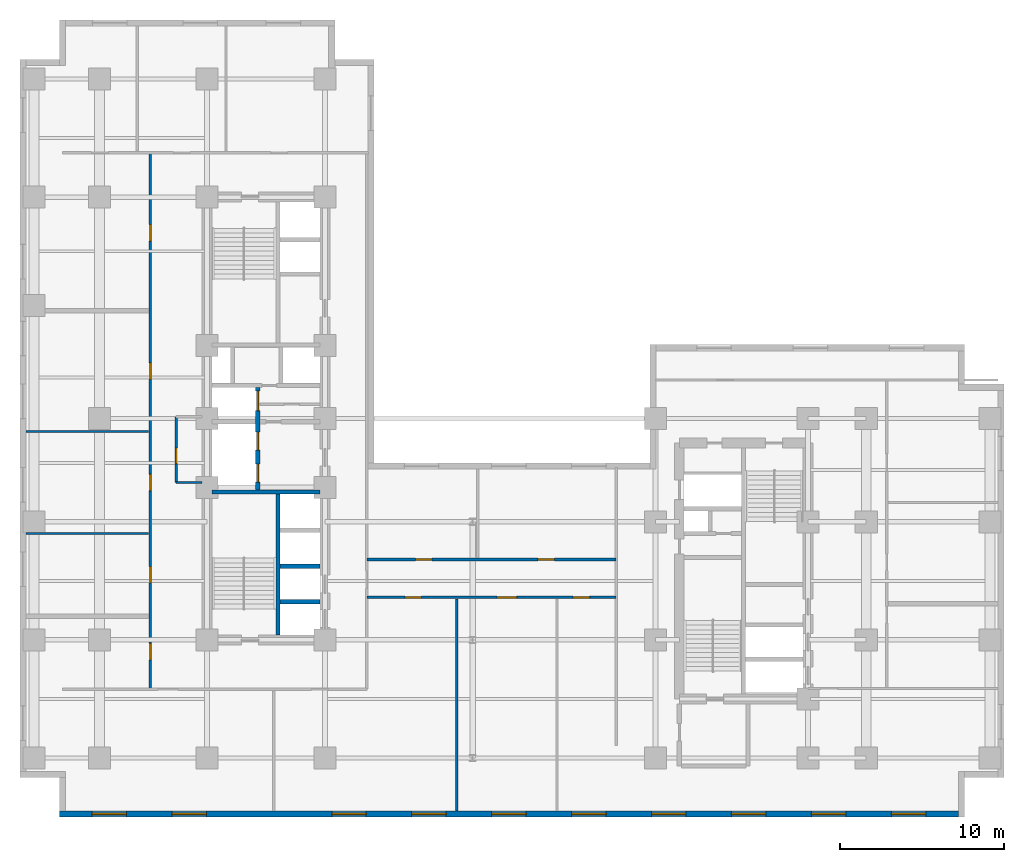
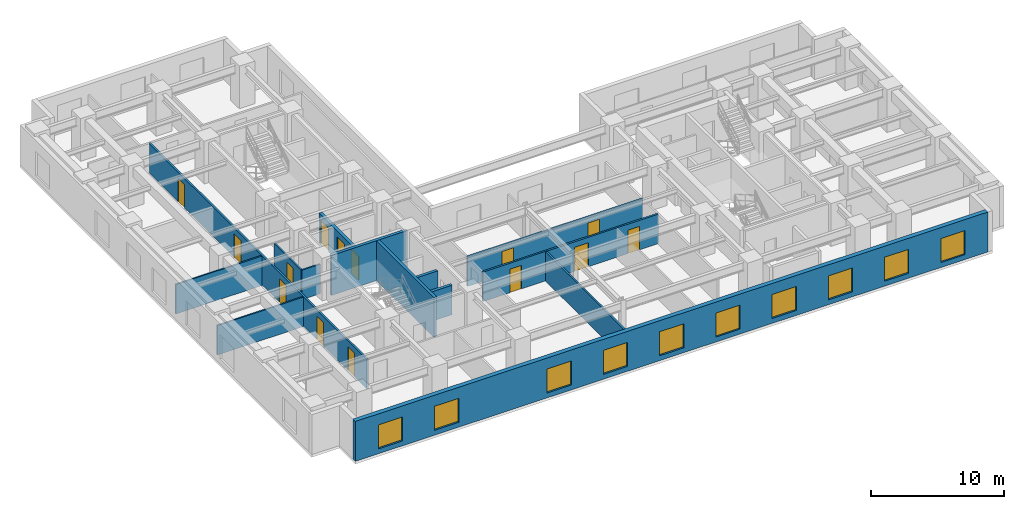
# One storey, part 3 of 9: 14 doors, 14 walls, 10 windows, 24 openings.
"""IFC4 building model written with IfcOpenShell, lengths in metres."""

from ifc_helpers import new_model, entity, si_unit, converted_unit, direction, frame, origin_with_axes, origin_2d_with_axis, place, context, subcontext, project, spatial, polyline, rectangle, outline, extrude, material, layer, layer_set, type_object, element, fill, save


model = new_model("IFC4")

# Units and contexts
model_context = context("Model", 3, precision=1e-05, world=origin_with_axes(), true_north=direction((0.0, 1.0)))
body_context = subcontext(model_context, "Body", "Model", "MODEL_VIEW")
ifc_project = project(units=[si_unit("LENGTHUNIT", "METRE"), si_unit("AREAUNIT", "SQUARE_METRE"), si_unit("VOLUMEUNIT", "CUBIC_METRE"), converted_unit("PLANEANGLEUNIT", "DEGREE", entity("IfcPlaneAngleMeasure", 0.017453292519943295), si_unit("PLANEANGLEUNIT", "RADIAN"), dimensions=[0, 0, 0, 0, 0, 0, 0]), si_unit("MASSUNIT", "GRAM", prefix="KILO"), si_unit("THERMODYNAMICTEMPERATUREUNIT", "KELVIN")], contexts=[model_context])

# Site, building, storey
site_placement = place(None, origin_with_axes())
site = spatial("IfcSite", under=ifc_project, at=site_placement, CompositionType="ELEMENT")
building_placement = place(site_placement, origin_with_axes())
building = spatial("IfcBuilding", under=site, at=building_placement, Name="Varnlund Millrace Tower", CompositionType="ELEMENT")
storey_placement = place(building_placement, frame((0.0, 0.0, 52.2), z_axis=(0.0, 0.0, 1.0), x_axis=(1.0, 0.0, 0.0)))
storey = spatial("IfcBuildingStorey", under=building, at=storey_placement, Name="L12", CompositionType="ELEMENT", Elevation=52.2)

# Wall, openings, windows
ifc_material_1 = material(Name="Precast concrete C50/60", Category="concrete")
ifc_layer_1 = layer(ifc_material_1, 0.38, Name="Precast concrete C50/60")
ifc_layer_set_1 = layer_set([ifc_layer_1], Name="Precast concrete C50/60")
wall_type_1 = type_object("IfcWallType", Name="Type-ExtWall-Precast-Tube-380", PredefinedType="SOLIDWALL", material=ifc_layer_set_1)
wall_1_placement = place(storey_placement, frame((57.22, 0.19, 0.0), z_axis=(0.0, 0.0, 1.0), x_axis=(-1.0, 0.0, 0.0)))
wall_1 = element("IfcWall", 1, at=wall_1_placement, inside=storey, type_object=wall_type_1, Name="Type-ExtWall-Precast-Tube-380", PredefinedType="SOLIDWALL", context=body_context, shape_type="SweptSolid", body=[
    extrude(outline(polyline([(0.0, -0.19), (54.82, -0.19), (54.82, 0.19), (0.0, 0.19), (0.0, -0.19)])), origin_with_axes(), (0.0, 0.0, 1.0), 3.66),
])
opening_1_placement = place(wall_1_placement, frame((3.037, 0.0, 0.45), z_axis=(0.0, 0.0, 1.0), x_axis=(1.0, 0.0, 0.0)))
opening_1 = element("IfcOpeningElement", 2, at=opening_1_placement, cuts=wall_1, Name="Opening L12:WN-06", PredefinedType="OPENING", context=body_context, shape_type="SweptSolid", body=[
    extrude(rectangle(XDim=2.1, YDim=0.4, at=origin_2d_with_axis()), origin_with_axes(), (0.0, 0.0, 1.0), 2.2),
])
opening_2_placement = place(wall_1_placement, frame((7.912, 0.0, 0.45), z_axis=(0.0, 0.0, 1.0), x_axis=(1.0, 0.0, 0.0)))
opening_2 = element("IfcOpeningElement", 3, at=opening_2_placement, cuts=wall_1, Name="Opening L12:WN-07", PredefinedType="OPENING", context=body_context, shape_type="SweptSolid", body=[
    extrude(rectangle(XDim=2.1, YDim=0.4, at=origin_2d_with_axis()), origin_with_axes(), (0.0, 0.0, 1.0), 2.2),
])
opening_3_placement = place(wall_1_placement, frame((12.786, 0.0, 0.45), z_axis=(0.0, 0.0, 1.0), x_axis=(1.0, 0.0, 0.0)))
opening_3 = element("IfcOpeningElement", 4, at=opening_3_placement, cuts=wall_1, Name="Opening L12:WN-08", PredefinedType="OPENING", context=body_context, shape_type="SweptSolid", body=[
    extrude(rectangle(XDim=2.1, YDim=0.4, at=origin_2d_with_axis()), origin_with_axes(), (0.0, 0.0, 1.0), 2.2),
])
opening_4_placement = place(wall_1_placement, frame((17.661, 0.0, 0.45), z_axis=(0.0, 0.0, 1.0), x_axis=(1.0, 0.0, 0.0)))
opening_4 = element("IfcOpeningElement", 5, at=opening_4_placement, cuts=wall_1, Name="Opening L12:WN-09", PredefinedType="OPENING", context=body_context, shape_type="SweptSolid", body=[
    extrude(rectangle(XDim=2.1, YDim=0.4, at=origin_2d_with_axis()), origin_with_axes(), (0.0, 0.0, 1.0), 2.2),
])
opening_5_placement = place(wall_1_placement, frame((22.535, 0.0, 0.45), z_axis=(0.0, 0.0, 1.0), x_axis=(1.0, 0.0, 0.0)))
opening_5 = element("IfcOpeningElement", 6, at=opening_5_placement, cuts=wall_1, Name="Opening L12:WN-10", PredefinedType="OPENING", context=body_context, shape_type="SweptSolid", body=[
    extrude(rectangle(XDim=2.1, YDim=0.4, at=origin_2d_with_axis()), origin_with_axes(), (0.0, 0.0, 1.0), 2.2),
])
opening_6_placement = place(wall_1_placement, frame((27.41, 0.0, 0.45), z_axis=(0.0, 0.0, 1.0), x_axis=(1.0, 0.0, 0.0)))
opening_6 = element("IfcOpeningElement", 7, at=opening_6_placement, cuts=wall_1, Name="Opening L12:WN-11", PredefinedType="OPENING", context=body_context, shape_type="SweptSolid", body=[
    extrude(rectangle(XDim=2.1, YDim=0.4, at=origin_2d_with_axis()), origin_with_axes(), (0.0, 0.0, 1.0), 2.2),
])
opening_7_placement = place(wall_1_placement, frame((32.285, 0.0, 0.45), z_axis=(0.0, 0.0, 1.0), x_axis=(1.0, 0.0, 0.0)))
opening_7 = element("IfcOpeningElement", 8, at=opening_7_placement, cuts=wall_1, Name="Opening L12:WN-12", PredefinedType="OPENING", context=body_context, shape_type="SweptSolid", body=[
    extrude(rectangle(XDim=2.1, YDim=0.4, at=origin_2d_with_axis()), origin_with_axes(), (0.0, 0.0, 1.0), 2.2),
])
opening_8_placement = place(wall_1_placement, frame((37.159, 0.0, 0.45), z_axis=(0.0, 0.0, 1.0), x_axis=(1.0, 0.0, 0.0)))
opening_8 = element("IfcOpeningElement", 9, at=opening_8_placement, cuts=wall_1, Name="Opening L12:WN-13", PredefinedType="OPENING", context=body_context, shape_type="SweptSolid", body=[
    extrude(rectangle(XDim=2.1, YDim=0.4, at=origin_2d_with_axis()), origin_with_axes(), (0.0, 0.0, 1.0), 2.2),
])
opening_9_placement = place(wall_1_placement, frame((46.908, 0.0, 0.45), z_axis=(0.0, 0.0, 1.0), x_axis=(1.0, 0.0, 0.0)))
opening_9 = element("IfcOpeningElement", 10, at=opening_9_placement, cuts=wall_1, Name="Opening L12:WN-14", PredefinedType="OPENING", context=body_context, shape_type="SweptSolid", body=[
    extrude(rectangle(XDim=2.1, YDim=0.4, at=origin_2d_with_axis()), origin_with_axes(), (0.0, 0.0, 1.0), 2.2),
])
opening_10_placement = place(wall_1_placement, frame((51.783, 0.0, 0.45), z_axis=(0.0, 0.0, 1.0), x_axis=(1.0, 0.0, 0.0)))
opening_10 = element("IfcOpeningElement", 11, at=opening_10_placement, cuts=wall_1, Name="Opening L12:WN-15", PredefinedType="OPENING", context=body_context, shape_type="SweptSolid", body=[
    extrude(rectangle(XDim=2.1, YDim=0.4, at=origin_2d_with_axis()), origin_with_axes(), (0.0, 0.0, 1.0), 2.2),
])
ifc_material_2 = material(Name="Argon low-e triple glazing in thermally broken bronze frame", Category="glass")
window_type = type_object("IfcWindowType", Name="Type-Window-Punched-2100X2200", PartitioningType="SINGLE_PANEL", PredefinedType="WINDOW", material=ifc_material_2)
window_1_placement = place(wall_1_placement, frame((3.037, 0.0, 0.45), z_axis=(0.0, 0.0, 1.0), x_axis=(1.0, 0.0, 0.0)))
window_1 = element("IfcWindow", 12, at=window_1_placement, inside=storey, type_object=window_type, Name="Type-Window-Punched-2100X2200", OverallHeight=2.2, OverallWidth=2.1, PredefinedType="WINDOW", context=body_context, shape_type="SweptSolid", body=[
    extrude(rectangle(XDim=2.1, YDim=0.09, at=origin_2d_with_axis()), origin_with_axes(), (0.0, 0.0, 1.0), 2.2),
])
fill(opening_1, window_1)
window_2_placement = place(wall_1_placement, frame((7.912, 0.0, 0.45), z_axis=(0.0, 0.0, 1.0), x_axis=(1.0, 0.0, 0.0)))
window_2 = element("IfcWindow", 13, at=window_2_placement, inside=storey, type_object=window_type, Name="Type-Window-Punched-2100X2200", OverallHeight=2.2, OverallWidth=2.1, PredefinedType="WINDOW", context=body_context, shape_type="SweptSolid", body=[
    extrude(rectangle(XDim=2.1, YDim=0.09, at=origin_2d_with_axis()), origin_with_axes(), (0.0, 0.0, 1.0), 2.2),
])
fill(opening_2, window_2)
window_3_placement = place(wall_1_placement, frame((12.786, 0.0, 0.45), z_axis=(0.0, 0.0, 1.0), x_axis=(1.0, 0.0, 0.0)))
window_3 = element("IfcWindow", 14, at=window_3_placement, inside=storey, type_object=window_type, Name="Type-Window-Punched-2100X2200", OverallHeight=2.2, OverallWidth=2.1, PredefinedType="WINDOW", context=body_context, shape_type="SweptSolid", body=[
    extrude(rectangle(XDim=2.1, YDim=0.09, at=origin_2d_with_axis()), origin_with_axes(), (0.0, 0.0, 1.0), 2.2),
])
fill(opening_3, window_3)
window_4_placement = place(wall_1_placement, frame((17.661, 0.0, 0.45), z_axis=(0.0, 0.0, 1.0), x_axis=(1.0, 0.0, 0.0)))
window_4 = element("IfcWindow", 15, at=window_4_placement, inside=storey, type_object=window_type, Name="Type-Window-Punched-2100X2200", OverallHeight=2.2, OverallWidth=2.1, PredefinedType="WINDOW", context=body_context, shape_type="SweptSolid", body=[
    extrude(rectangle(XDim=2.1, YDim=0.09, at=origin_2d_with_axis()), origin_with_axes(), (0.0, 0.0, 1.0), 2.2),
])
fill(opening_4, window_4)
window_5_placement = place(wall_1_placement, frame((22.535, 0.0, 0.45), z_axis=(0.0, 0.0, 1.0), x_axis=(1.0, 0.0, 0.0)))
window_5 = element("IfcWindow", 16, at=window_5_placement, inside=storey, type_object=window_type, Name="Type-Window-Punched-2100X2200", OverallHeight=2.2, OverallWidth=2.1, PredefinedType="WINDOW", context=body_context, shape_type="SweptSolid", body=[
    extrude(rectangle(XDim=2.1, YDim=0.09, at=origin_2d_with_axis()), origin_with_axes(), (0.0, 0.0, 1.0), 2.2),
])
fill(opening_5, window_5)
window_6_placement = place(wall_1_placement, frame((27.41, 0.0, 0.45), z_axis=(0.0, 0.0, 1.0), x_axis=(1.0, 0.0, 0.0)))
window_6 = element("IfcWindow", 17, at=window_6_placement, inside=storey, type_object=window_type, Name="Type-Window-Punched-2100X2200", OverallHeight=2.2, OverallWidth=2.1, PredefinedType="WINDOW", context=body_context, shape_type="SweptSolid", body=[
    extrude(rectangle(XDim=2.1, YDim=0.09, at=origin_2d_with_axis()), origin_with_axes(), (0.0, 0.0, 1.0), 2.2),
])
fill(opening_6, window_6)
window_7_placement = place(wall_1_placement, frame((32.285, 0.0, 0.45), z_axis=(0.0, 0.0, 1.0), x_axis=(1.0, 0.0, 0.0)))
window_7 = element("IfcWindow", 18, at=window_7_placement, inside=storey, type_object=window_type, Name="Type-Window-Punched-2100X2200", OverallHeight=2.2, OverallWidth=2.1, PredefinedType="WINDOW", context=body_context, shape_type="SweptSolid", body=[
    extrude(rectangle(XDim=2.1, YDim=0.09, at=origin_2d_with_axis()), origin_with_axes(), (0.0, 0.0, 1.0), 2.2),
])
fill(opening_7, window_7)
window_8_placement = place(wall_1_placement, frame((37.159, 0.0, 0.45), z_axis=(0.0, 0.0, 1.0), x_axis=(1.0, 0.0, 0.0)))
window_8 = element("IfcWindow", 19, at=window_8_placement, inside=storey, type_object=window_type, Name="Type-Window-Punched-2100X2200", OverallHeight=2.2, OverallWidth=2.1, PredefinedType="WINDOW", context=body_context, shape_type="SweptSolid", body=[
    extrude(rectangle(XDim=2.1, YDim=0.09, at=origin_2d_with_axis()), origin_with_axes(), (0.0, 0.0, 1.0), 2.2),
])
fill(opening_8, window_8)
window_9_placement = place(wall_1_placement, frame((46.908, 0.0, 0.45), z_axis=(0.0, 0.0, 1.0), x_axis=(1.0, 0.0, 0.0)))
window_9 = element("IfcWindow", 20, at=window_9_placement, inside=storey, type_object=window_type, Name="Type-Window-Punched-2100X2200", OverallHeight=2.2, OverallWidth=2.1, PredefinedType="WINDOW", context=body_context, shape_type="SweptSolid", body=[
    extrude(rectangle(XDim=2.1, YDim=0.09, at=origin_2d_with_axis()), origin_with_axes(), (0.0, 0.0, 1.0), 2.2),
])
fill(opening_9, window_9)
window_10_placement = place(wall_1_placement, frame((51.783, 0.0, 0.45), z_axis=(0.0, 0.0, 1.0), x_axis=(1.0, 0.0, 0.0)))
window_10 = element("IfcWindow", 21, at=window_10_placement, inside=storey, type_object=window_type, Name="Type-Window-Punched-2100X2200", OverallHeight=2.2, OverallWidth=2.1, PredefinedType="WINDOW", context=body_context, shape_type="SweptSolid", body=[
    extrude(rectangle(XDim=2.1, YDim=0.09, at=origin_2d_with_axis()), origin_with_axes(), (0.0, 0.0, 1.0), 2.2),
])
fill(opening_10, window_10)

# Wall, openings, doors
ifc_material_3 = material(Name="Fire-rated gypsum board on cold-formed steel framing", Category="steel")
ifc_layer_2 = layer(ifc_material_3, 0.16, Name="Fire-rated gypsum board on cold-formed steel framing")
ifc_layer_set_2 = layer_set([ifc_layer_2], Name="Fire-rated gypsum board on cold-formed steel framing")
wall_type_2 = type_object("IfcWallType", Name="Type-Partition-Corridor-160", PredefinedType="PARTITIONING", material=ifc_layer_set_2)
wall_2_placement = place(storey_placement, frame((7.95, 7.8, 0.0), z_axis=(0.0, 0.0, 1.0), x_axis=(0.0, 1.0, 0.0)))
wall_2 = element("IfcWall", 22, at=wall_2_placement, inside=storey, type_object=wall_type_2, Name="Type-Partition-Corridor-160", PredefinedType="PARTITIONING", context=body_context, shape_type="SweptSolid", body=[
    extrude(outline(polyline([(0.0, -0.08), (32.7, -0.08), (32.7, 0.08), (0.0, 0.08), (0.0, -0.08)])), origin_with_axes(), (0.0, 0.0, 1.0), 2.7),
])
opening_11_placement = place(wall_2_placement, frame((2.2885, 0.0, 0.0), z_axis=(0.0, 0.0, 1.0), x_axis=(1.0, 0.0, 0.0)))
opening_11 = element("IfcOpeningElement", 23, at=opening_11_placement, cuts=wall_2, Name="Opening L12:DR-W-01", PredefinedType="OPENING", context=body_context, shape_type="SweptSolid", body=[
    extrude(rectangle(XDim=1.0, YDim=0.18, at=origin_2d_with_axis()), origin_with_axes(), (0.0, 0.0, 1.0), 2.15),
])
opening_12_placement = place(wall_2_placement, frame((6.971, 0.0, 0.0), z_axis=(0.0, 0.0, 1.0), x_axis=(1.0, 0.0, 0.0)))
opening_12 = element("IfcOpeningElement", 24, at=opening_12_placement, cuts=wall_2, Name="Opening L12:DR-W-02", PredefinedType="OPENING", context=body_context, shape_type="SweptSolid", body=[
    extrude(rectangle(XDim=1.0, YDim=0.18, at=origin_2d_with_axis()), origin_with_axes(), (0.0, 0.0, 1.0), 2.15),
])
opening_13_placement = place(wall_2_placement, frame((12.598, 0.0, 0.0), z_axis=(0.0, 0.0, 1.0), x_axis=(1.0, 0.0, 0.0)))
opening_13 = element("IfcOpeningElement", 25, at=opening_13_placement, cuts=wall_2, Name="Opening L12:DR-W-03", PredefinedType="OPENING", context=body_context, shape_type="SweptSolid", body=[
    extrude(rectangle(XDim=1.0, YDim=0.18, at=origin_2d_with_axis()), origin_with_axes(), (0.0, 0.0, 1.0), 2.15),
])
opening_14_placement = place(wall_2_placement, frame((19.3855, 0.0, 0.0), z_axis=(0.0, 0.0, 1.0), x_axis=(1.0, 0.0, 0.0)))
opening_14 = element("IfcOpeningElement", 26, at=opening_14_placement, cuts=wall_2, Name="Opening L12:DR-W-04", PredefinedType="OPENING", context=body_context, shape_type="SweptSolid", body=[
    extrude(rectangle(XDim=1.0, YDim=0.18, at=origin_2d_with_axis()), origin_with_axes(), (0.0, 0.0, 1.0), 2.15),
])
opening_15_placement = place(wall_2_placement, frame((27.82, 0.0, 0.0), z_axis=(0.0, 0.0, 1.0), x_axis=(1.0, 0.0, 0.0)))
opening_15 = element("IfcOpeningElement", 27, at=opening_15_placement, cuts=wall_2, Name="Opening L12:DR-W-05", PredefinedType="OPENING", context=body_context, shape_type="SweptSolid", body=[
    extrude(rectangle(XDim=1.0, YDim=0.18, at=origin_2d_with_axis()), origin_with_axes(), (0.0, 0.0, 1.0), 2.15),
])
ifc_material_4 = material(Name="Solid-core white oak and bronze frame door")
door_type_1 = type_object("IfcDoorType", Name="Type-IntDoor-Office-1000X2150", OperationType="NOTDEFINED", PredefinedType="DOOR", material=ifc_material_4)
door_1_placement = place(wall_2_placement, frame((2.2885, 0.0, 0.0), z_axis=(0.0, 0.0, 1.0), x_axis=(1.0, 0.0, 0.0)))
door_1 = element("IfcDoor", 28, at=door_1_placement, inside=storey, type_object=door_type_1, Name="Type-IntDoor-Office-1000X2150", OperationType="SINGLE_SWING_LEFT", OverallHeight=2.15, OverallWidth=1.0, PredefinedType="DOOR", context=body_context, shape_type="SweptSolid", body=[
    extrude(rectangle(XDim=1.0, YDim=0.09, at=origin_2d_with_axis()), origin_with_axes(), (0.0, 0.0, 1.0), 2.15),
])
fill(opening_11, door_1)
door_2_placement = place(wall_2_placement, frame((6.971, 0.0, 0.0), z_axis=(0.0, 0.0, 1.0), x_axis=(1.0, 0.0, 0.0)))
door_2 = element("IfcDoor", 29, at=door_2_placement, inside=storey, type_object=door_type_1, Name="Type-IntDoor-Office-1000X2150", OperationType="SINGLE_SWING_RIGHT", OverallHeight=2.15, OverallWidth=1.0, PredefinedType="DOOR", context=body_context, shape_type="SweptSolid", body=[
    extrude(rectangle(XDim=1.0, YDim=0.09, at=origin_2d_with_axis()), origin_with_axes(), (0.0, 0.0, 1.0), 2.15),
])
fill(opening_12, door_2)
door_3_placement = place(wall_2_placement, frame((12.598, 0.0, 0.0), z_axis=(0.0, 0.0, 1.0), x_axis=(1.0, 0.0, 0.0)))
door_3 = element("IfcDoor", 30, at=door_3_placement, inside=storey, type_object=door_type_1, Name="Type-IntDoor-Office-1000X2150", OperationType="SINGLE_SWING_LEFT", OverallHeight=2.15, OverallWidth=1.0, PredefinedType="DOOR", context=body_context, shape_type="SweptSolid", body=[
    extrude(rectangle(XDim=1.0, YDim=0.09, at=origin_2d_with_axis()), origin_with_axes(), (0.0, 0.0, 1.0), 2.15),
])
fill(opening_13, door_3)
door_4_placement = place(wall_2_placement, frame((19.3855, 0.0, 0.0), z_axis=(0.0, 0.0, 1.0), x_axis=(1.0, 0.0, 0.0)))
door_4 = element("IfcDoor", 31, at=door_4_placement, inside=storey, type_object=door_type_1, Name="Type-IntDoor-Office-1000X2150", OperationType="SINGLE_SWING_RIGHT", OverallHeight=2.15, OverallWidth=1.0, PredefinedType="DOOR", context=body_context, shape_type="SweptSolid", body=[
    extrude(rectangle(XDim=1.0, YDim=0.09, at=origin_2d_with_axis()), origin_with_axes(), (0.0, 0.0, 1.0), 2.15),
])
fill(opening_14, door_4)
door_5_placement = place(wall_2_placement, frame((27.82, 0.0, 0.0), z_axis=(0.0, 0.0, 1.0), x_axis=(1.0, 0.0, 0.0)))
door_5 = element("IfcDoor", 32, at=door_5_placement, inside=storey, type_object=door_type_1, Name="Type-IntDoor-Office-1000X2150", OperationType="SINGLE_SWING_LEFT", OverallHeight=2.15, OverallWidth=1.0, PredefinedType="DOOR", context=body_context, shape_type="SweptSolid", body=[
    extrude(rectangle(XDim=1.0, YDim=0.09, at=origin_2d_with_axis()), origin_with_axes(), (0.0, 0.0, 1.0), 2.15),
])
fill(opening_15, door_5)

wall_3_placement = place(storey_placement, frame((21.15, 13.4, 0.0), z_axis=(0.0, 0.0, 1.0), x_axis=(1.0, 0.0, 0.0)))
wall_3 = element("IfcWall", 33, at=wall_3_placement, inside=storey, type_object=wall_type_2, Name="Type-Partition-Corridor-160", PredefinedType="PARTITIONING", context=body_context, shape_type="SweptSolid", body=[
    extrude(outline(polyline([(0.0, -0.08), (15.2, -0.08), (15.2, 0.08), (0.0, 0.08), (0.0, -0.08)])), origin_with_axes(), (0.0, 0.0, 1.0), 2.7),
])
opening_16_placement = place(wall_3_placement, frame((2.8295, 0.0, 0.0), z_axis=(0.0, 0.0, 1.0), x_axis=(1.0, 0.0, 0.0)))
opening_16 = element("IfcOpeningElement", 34, at=opening_16_placement, cuts=wall_3, Name="Opening L12:DR-KNS-01", PredefinedType="OPENING", context=body_context, shape_type="SweptSolid", body=[
    extrude(rectangle(XDim=1.0, YDim=0.18, at=origin_2d_with_axis()), origin_with_axes(), (0.0, 0.0, 1.0), 2.15),
])
opening_17_placement = place(wall_3_placement, frame((8.5355, 0.0, 0.0), z_axis=(0.0, 0.0, 1.0), x_axis=(1.0, 0.0, 0.0)))
opening_17 = element("IfcOpeningElement", 35, at=opening_17_placement, cuts=wall_3, Name="Opening L12:DR-KNS-02", PredefinedType="OPENING", context=body_context, shape_type="SweptSolid", body=[
    extrude(rectangle(XDim=1.2, YDim=0.18, at=origin_2d_with_axis()), origin_with_axes(), (0.0, 0.0, 1.0), 2.2),
])
opening_18_placement = place(wall_3_placement, frame((13.076, 0.0, 0.0), z_axis=(0.0, 0.0, 1.0), x_axis=(1.0, 0.0, 0.0)))
opening_18 = element("IfcOpeningElement", 36, at=opening_18_placement, cuts=wall_3, Name="Opening L12:DR-KNS-03", PredefinedType="OPENING", context=body_context, shape_type="SweptSolid", body=[
    extrude(rectangle(XDim=1.0, YDim=0.18, at=origin_2d_with_axis()), origin_with_axes(), (0.0, 0.0, 1.0), 2.15),
])
ifc_material_5 = material(Name="Wide executive white oak acoustic door")
door_type_2 = type_object("IfcDoorType", Name="Type-IntDoor-Exec-1200X2200", OperationType="NOTDEFINED", PredefinedType="DOOR", material=ifc_material_5)
door_6_placement = place(wall_3_placement, frame((8.5355, 0.0, 0.0), z_axis=(0.0, 0.0, 1.0), x_axis=(1.0, 0.0, 0.0)))
door_6 = element("IfcDoor", 37, at=door_6_placement, inside=storey, type_object=door_type_2, Name="Type-IntDoor-Exec-1200X2200", OperationType="SINGLE_SWING_RIGHT", OverallHeight=2.2, OverallWidth=1.2, PredefinedType="DOOR", context=body_context, shape_type="SweptSolid", body=[
    extrude(rectangle(XDim=1.2, YDim=0.09, at=origin_2d_with_axis()), origin_with_axes(), (0.0, 0.0, 1.0), 2.2),
])
fill(opening_17, door_6)
door_7_placement = place(wall_3_placement, frame((2.8295, 0.0, 0.0), z_axis=(0.0, 0.0, 1.0), x_axis=(1.0, 0.0, 0.0)))
door_7 = element("IfcDoor", 38, at=door_7_placement, inside=storey, type_object=door_type_1, Name="Type-IntDoor-Office-1000X2150", OperationType="SINGLE_SWING_LEFT", OverallHeight=2.15, OverallWidth=1.0, PredefinedType="DOOR", context=body_context, shape_type="SweptSolid", body=[
    extrude(rectangle(XDim=1.0, YDim=0.09, at=origin_2d_with_axis()), origin_with_axes(), (0.0, 0.0, 1.0), 2.15),
])
fill(opening_16, door_7)
door_8_placement = place(wall_3_placement, frame((13.076, 0.0, 0.0), z_axis=(0.0, 0.0, 1.0), x_axis=(1.0, 0.0, 0.0)))
door_8 = element("IfcDoor", 39, at=door_8_placement, inside=storey, type_object=door_type_1, Name="Type-IntDoor-Office-1000X2150", OperationType="SINGLE_SWING_LEFT", OverallHeight=2.15, OverallWidth=1.0, PredefinedType="DOOR", context=body_context, shape_type="SweptSolid", body=[
    extrude(rectangle(XDim=1.0, YDim=0.09, at=origin_2d_with_axis()), origin_with_axes(), (0.0, 0.0, 1.0), 2.15),
])
fill(opening_18, door_8)

wall_4_placement = place(storey_placement, frame((21.15, 15.7, 0.0), z_axis=(0.0, 0.0, 1.0), x_axis=(1.0, 0.0, 0.0)))
wall_4 = element("IfcWall", 40, at=wall_4_placement, inside=storey, type_object=wall_type_2, Name="Type-Partition-Corridor-160", PredefinedType="PARTITIONING", context=body_context, shape_type="SweptSolid", body=[
    extrude(outline(polyline([(0.0, -0.08), (15.2, -0.08), (15.2, 0.08), (0.0, 0.08), (0.0, -0.08)])), origin_with_axes(), (0.0, 0.0, 1.0), 2.7),
])
opening_19_placement = place(wall_4_placement, frame((3.468, 0.0, 0.0), z_axis=(0.0, 0.0, 1.0), x_axis=(1.0, 0.0, 0.0)))
opening_19 = element("IfcOpeningElement", 41, at=opening_19_placement, cuts=wall_4, Name="Opening L12:DR-KN-01", PredefinedType="OPENING", context=body_context, shape_type="SweptSolid", body=[
    extrude(rectangle(XDim=1.0, YDim=0.18, at=origin_2d_with_axis()), origin_with_axes(), (0.0, 0.0, 1.0), 2.15),
])
opening_20_placement = place(wall_4_placement, frame((10.938, 0.0, 0.0), z_axis=(0.0, 0.0, 1.0), x_axis=(1.0, 0.0, 0.0)))
opening_20 = element("IfcOpeningElement", 42, at=opening_20_placement, cuts=wall_4, Name="Opening L12:DR-KN-02", PredefinedType="OPENING", context=body_context, shape_type="SweptSolid", body=[
    extrude(rectangle(XDim=1.0, YDim=0.18, at=origin_2d_with_axis()), origin_with_axes(), (0.0, 0.0, 1.0), 2.15),
])
door_9_placement = place(wall_4_placement, frame((3.468, 0.0, 0.0), z_axis=(0.0, 0.0, 1.0), x_axis=(1.0, 0.0, 0.0)))
door_9 = element("IfcDoor", 43, at=door_9_placement, inside=storey, type_object=door_type_1, Name="Type-IntDoor-Office-1000X2150", OperationType="SINGLE_SWING_LEFT", OverallHeight=2.15, OverallWidth=1.0, PredefinedType="DOOR", context=body_context, shape_type="SweptSolid", body=[
    extrude(rectangle(XDim=1.0, YDim=0.09, at=origin_2d_with_axis()), origin_with_axes(), (0.0, 0.0, 1.0), 2.15),
])
fill(opening_19, door_9)
door_10_placement = place(wall_4_placement, frame((10.938, 0.0, 0.0), z_axis=(0.0, 0.0, 1.0), x_axis=(1.0, 0.0, 0.0)))
door_10 = element("IfcDoor", 44, at=door_10_placement, inside=storey, type_object=door_type_1, Name="Type-IntDoor-Office-1000X2150", OperationType="SINGLE_SWING_RIGHT", OverallHeight=2.15, OverallWidth=1.0, PredefinedType="DOOR", context=body_context, shape_type="SweptSolid", body=[
    extrude(rectangle(XDim=1.0, YDim=0.09, at=origin_2d_with_axis()), origin_with_axes(), (0.0, 0.0, 1.0), 2.15),
])
fill(opening_20, door_10)

# Walls
ifc_material_6 = material(Name="Acoustic STC-50 gypsum board partition", Category="gypsum")
ifc_layer_3 = layer(ifc_material_6, 0.15, Name="Acoustic STC-50 gypsum board partition")
ifc_layer_set_3 = layer_set([ifc_layer_3], Name="Acoustic STC-50 gypsum board partition")
wall_type_3 = type_object("IfcWallType", Name="Type-Partition-Demising-150", PredefinedType="PARTITIONING", material=ifc_layer_set_3)
wall_5_placement = place(storey_placement, frame((26.629, 0.36, 0.0), z_axis=(0.0, 0.0, 1.0), x_axis=(0.0, 1.0, 0.0)))
element("IfcWall", 45, at=wall_5_placement, inside=storey, type_object=wall_type_3, Name="Type-Partition-Demising-150", PredefinedType="PARTITIONING", context=body_context, shape_type="SweptSolid", body=[
    extrude(outline(polyline([(0.0, -0.075), (12.92, -0.075), (12.92, 0.075), (0.0, 0.075), (0.0, -0.075)])), origin_with_axes(), (0.0, 0.0, 1.0), 2.7),
])
ifc_material_7 = material(Name="Gypsum board tenant partition", Category="gypsum")
ifc_layer_4 = layer(ifc_material_7, 0.125, Name="Gypsum board tenant partition")
ifc_layer_set_4 = layer_set([ifc_layer_4], Name="Gypsum board tenant partition")
wall_type_4 = type_object("IfcWallType", Name="Type-Partition-Tenant-125", PredefinedType="PARTITIONING", material=ifc_layer_set_4)
for number, where, z_axis, x_axis, name in (
    (46, (0.375, 17.295, 0.0), (0.0, 0.0, 1.0), (1.0, 0.0, 0.0), "Type-Partition-Tenant-125"),
    (47, (0.375, 23.501, 0.0), (0.0, 0.0, 1.0), (1.0, 0.0, 0.0), "Type-Partition-Tenant-125"),
):
    element("IfcWall", number, at=place(storey_placement, frame(where, z_axis=z_axis, x_axis=x_axis)), inside=storey, type_object=wall_type_4, Name=name, PredefinedType="PARTITIONING", context=body_context, shape_type="SweptSolid", body=[
        extrude(outline(polyline([(0.0, -0.0625), (7.455, -0.0625), (7.455, 0.0625), (0.0, 0.0625), (0.0, -0.0625)])), origin_with_axes(), (0.0, 0.0, 1.0), 2.7),
    ])

# Wall, opening, door
ifc_material_8 = material(Name="Moisture-resistant gypsum restroom partition", Category="gypsum")
ifc_layer_5 = layer(ifc_material_8, 0.14, Name="Moisture-resistant gypsum restroom partition")
ifc_layer_set_5 = layer_set([ifc_layer_5], Name="Moisture-resistant gypsum restroom partition")
wall_type_5 = type_object("IfcWallType", Name="Type-Partition-Wet-140", PredefinedType="PARTITIONING", material=ifc_layer_set_5)
wall_6_placement = place(storey_placement, frame((9.52, 20.4, 0.0), z_axis=(0.0, 0.0, 1.0), x_axis=(0.0, 1.0, 0.0)))
wall_6 = element("IfcWall", 48, at=wall_6_placement, inside=storey, type_object=wall_type_5, Name="Type-Partition-Wet-140", PredefinedType="PARTITIONING", context=body_context, shape_type="SweptSolid", body=[
    extrude(outline(polyline([(0.0, -0.07), (4.0, -0.07), (4.0, 0.07), (0.0, 0.07), (0.0, -0.07)])), origin_with_axes(), (0.0, 0.0, 1.0), 2.7),
])
opening_21_placement = place(wall_6_placement, frame((1.625, 0.0, 0.0), z_axis=(0.0, 0.0, 1.0), x_axis=(1.0, 0.0, 0.0)))
opening_21 = element("IfcOpeningElement", 49, at=opening_21_placement, cuts=wall_6, Name="Opening L12:DR-CA-WCW", PredefinedType="OPENING", context=body_context, shape_type="SweptSolid", body=[
    extrude(rectangle(XDim=0.95, YDim=0.16, at=origin_2d_with_axis()), origin_with_axes(), (0.0, 0.0, 1.0), 2.15),
])
ifc_material_9 = material(Name="Solid-core acoustic office door")
door_type_3 = type_object("IfcDoorType", Name="Type-IntDoor-Tenant-950X2150", OperationType="NOTDEFINED", PredefinedType="DOOR", material=ifc_material_9)
door_11_placement = place(wall_6_placement, frame((1.625, 0.0, 0.0), z_axis=(0.0, 0.0, 1.0), x_axis=(1.0, 0.0, 0.0)))
door_11 = element("IfcDoor", 50, at=door_11_placement, inside=storey, type_object=door_type_3, Name="Type-IntDoor-Tenant-950X2150", OperationType="SINGLE_SWING_LEFT", OverallHeight=2.15, OverallWidth=0.95, PredefinedType="DOOR", context=body_context, shape_type="SweptSolid", body=[
    extrude(rectangle(XDim=0.95, YDim=0.084, at=origin_2d_with_axis()), origin_with_axes(), (0.0, 0.0, 1.0), 2.15),
])
fill(opening_21, door_11)

# Wall
wall_7_placement = place(storey_placement, frame((9.52, 20.4, 0.0), z_axis=(0.0, 0.0, 1.0), x_axis=(1.0, 0.0, 0.0)))
element("IfcWall", 51, at=wall_7_placement, inside=storey, type_object=wall_type_5, Name="Type-Partition-Wet-140", PredefinedType="PARTITIONING", context=body_context, shape_type="SweptSolid", body=[
    extrude(outline(polyline([(0.0, -0.07), (1.58, -0.07), (1.58, 0.07), (0.0, 0.07), (0.0, -0.07)])), origin_with_axes(), (0.0, 0.0, 1.0), 2.7),
])

# Wall, openings, doors
ifc_material_10 = material(Name="Concrete C60/75", Category="concrete")
ifc_layer_6 = layer(ifc_material_10, 0.25, Name="Concrete C60/75")
ifc_layer_set_6 = layer_set([ifc_layer_6], Name="Concrete C60/75")
wall_type_6 = type_object("IfcWallType", Name="Type-ShaftWall-Fire-250", PredefinedType="SOLIDWALL", material=ifc_layer_set_6)
wall_8_placement = place(storey_placement, frame((14.5, 19.95, 0.0), z_axis=(0.0, 0.0, 1.0), x_axis=(0.0, 1.0, 0.0)))
wall_8 = element("IfcWall", 52, at=wall_8_placement, inside=storey, type_object=wall_type_6, Name="Type-ShaftWall-Fire-250", PredefinedType="SOLIDWALL", context=body_context, shape_type="SweptSolid", body=[
    extrude(outline(polyline([(0.0, -0.125), (6.25, -0.125), (6.25, 0.125), (0.0, 0.125), (0.0, -0.125)])), origin_with_axes(), (0.0, 0.0, 1.0), 2.7),
])
opening_22_placement = place(wall_8_placement, frame((1.025, 0.0, 0.0), z_axis=(0.0, 0.0, 1.0), x_axis=(1.0, 0.0, 0.0)))
opening_22 = element("IfcOpeningElement", 53, at=opening_22_placement, cuts=wall_8, Name="Opening L12:LD-FSAE1", PredefinedType="OPENING", context=body_context, shape_type="SweptSolid", body=[
    extrude(rectangle(XDim=1.1, YDim=0.27, at=origin_2d_with_axis()), origin_with_axes(), (0.0, 0.0, 1.0), 2.15),
])
opening_23_placement = place(wall_8_placement, frame((2.975, 0.0, 0.0), z_axis=(0.0, 0.0, 1.0), x_axis=(1.0, 0.0, 0.0)))
opening_23 = element("IfcOpeningElement", 54, at=opening_23_placement, cuts=wall_8, Name="Opening L12:LD-FSAE2", PredefinedType="OPENING", context=body_context, shape_type="SweptSolid", body=[
    extrude(rectangle(XDim=1.1, YDim=0.27, at=origin_2d_with_axis()), origin_with_axes(), (0.0, 0.0, 1.0), 2.15),
])
opening_24_placement = place(wall_8_placement, frame((5.425, 0.0, 0.0), z_axis=(0.0, 0.0, 1.0), x_axis=(1.0, 0.0, 0.0)))
opening_24 = element("IfcOpeningElement", 55, at=opening_24_placement, cuts=wall_8, Name="Opening L12:LD-SRV1", PredefinedType="OPENING", context=body_context, shape_type="SweptSolid", body=[
    extrude(rectangle(XDim=1.2, YDim=0.27, at=origin_2d_with_axis()), origin_with_axes(), (0.0, 0.0, 1.0), 2.15),
])
ifc_material_11 = material(Name="Stainless and architectural bronze sliding landing door")
door_type_4 = type_object("IfcDoorType", Name="Type-LiftLandingDoor-1100X2150", OperationType="NOTDEFINED", PredefinedType="DOOR", material=ifc_material_11)
door_12_placement = place(wall_8_placement, frame((1.025, 0.0, 0.0), z_axis=(0.0, 0.0, 1.0), x_axis=(1.0, 0.0, 0.0)))
door_12 = element("IfcDoor", 56, at=door_12_placement, inside=storey, type_object=door_type_4, Name="Type-LiftLandingDoor-1100X2150", OperationType="SLIDING_TO_LEFT", OverallHeight=2.15, OverallWidth=1.1, PredefinedType="DOOR", context=body_context, shape_type="SweptSolid", body=[
    extrude(rectangle(XDim=1.1, YDim=0.09, at=origin_2d_with_axis()), origin_with_axes(), (0.0, 0.0, 1.0), 2.15),
])
fill(opening_22, door_12)
door_13_placement = place(wall_8_placement, frame((2.975, 0.0, 0.0), z_axis=(0.0, 0.0, 1.0), x_axis=(1.0, 0.0, 0.0)))
door_13 = element("IfcDoor", 57, at=door_13_placement, inside=storey, type_object=door_type_4, Name="Type-LiftLandingDoor-1100X2150", OperationType="SLIDING_TO_RIGHT", OverallHeight=2.15, OverallWidth=1.1, PredefinedType="DOOR", context=body_context, shape_type="SweptSolid", body=[
    extrude(rectangle(XDim=1.1, YDim=0.09, at=origin_2d_with_axis()), origin_with_axes(), (0.0, 0.0, 1.0), 2.15),
])
fill(opening_23, door_13)
ifc_material_12 = material(Name="Heavy-duty freight sliding landing door")
door_type_5 = type_object("IfcDoorType", Name="Type-LiftLandingDoor-Service-1200X2150", OperationType="NOTDEFINED", PredefinedType="DOOR", material=ifc_material_12)
door_14_placement = place(wall_8_placement, frame((5.425, 0.0, 0.0), z_axis=(0.0, 0.0, 1.0), x_axis=(1.0, 0.0, 0.0)))
door_14 = element("IfcDoor", 58, at=door_14_placement, inside=storey, type_object=door_type_5, Name="Type-LiftLandingDoor-Service-1200X2150", OperationType="DOUBLE_DOOR_SLIDING", OverallHeight=2.15, OverallWidth=1.2, PredefinedType="DOOR", context=body_context, shape_type="SweptSolid", body=[
    extrude(rectangle(XDim=1.2, YDim=0.09, at=origin_2d_with_axis()), origin_with_axes(), (0.0, 0.0, 1.0), 2.15),
])
fill(opening_24, door_14)

# Walls
for number, where, z_axis, x_axis, name in (
    (59, (15.84, 13.13, 0.0), (0.0, 0.0, 1.0), (1.0, 0.0, 0.0), "Type-ShaftWall-Fire-250"),
    (60, (15.84, 15.29, 0.0), (0.0, 0.0, 1.0), (1.0, 0.0, 0.0), "Type-ShaftWall-Fire-250"),
):
    element("IfcWall", number, at=place(storey_placement, frame(where, z_axis=z_axis, x_axis=x_axis)), inside=storey, type_object=wall_type_6, Name=name, PredefinedType="SOLIDWALL", context=body_context, shape_type="SweptSolid", body=[
        extrude(outline(polyline([(0.0, -0.125), (2.46, -0.125), (2.46, 0.125), (0.0, 0.125), (0.0, -0.125)])), origin_with_axes(), (0.0, 0.0, 1.0), 2.7),
    ])
wall_type_7 = type_object("IfcWallType", Name="Type-StairWall-Shear-250", PredefinedType="SHEAR", material=ifc_layer_set_6)
wall_9_placement = place(storey_placement, frame((15.725, 11.1, 0.0), z_axis=(0.0, 0.0, 1.0), x_axis=(0.0, 1.0, 0.0)))
element("IfcWall", 61, at=wall_9_placement, inside=storey, type_object=wall_type_7, Name="Type-StairWall-Shear-250", PredefinedType="SHEAR", context=body_context, shape_type="SweptSolid", body=[
    extrude(outline(polyline([(0.0, -0.125), (8.6, -0.125), (8.6, 0.125), (0.0, 0.125), (0.0, -0.125)])), origin_with_axes(), (0.0, 0.0, 1.0), 3.66),
])
wall_10_placement = place(storey_placement, frame((11.7, 19.825, 0.0), z_axis=(0.0, 0.0, 1.0), x_axis=(1.0, 0.0, 0.0)))
element("IfcWall", 62, at=wall_10_placement, inside=storey, type_object=wall_type_7, Name="Type-StairWall-Shear-250", PredefinedType="SHEAR", context=body_context, shape_type="SweptSolid", body=[
    extrude(outline(polyline([(0.0, -0.125), (6.6, -0.125), (6.6, 0.125), (0.0, 0.125), (0.0, -0.125)])), origin_with_axes(), (0.0, 0.0, 1.0), 3.66),
])

save(model, "model.ifc")
